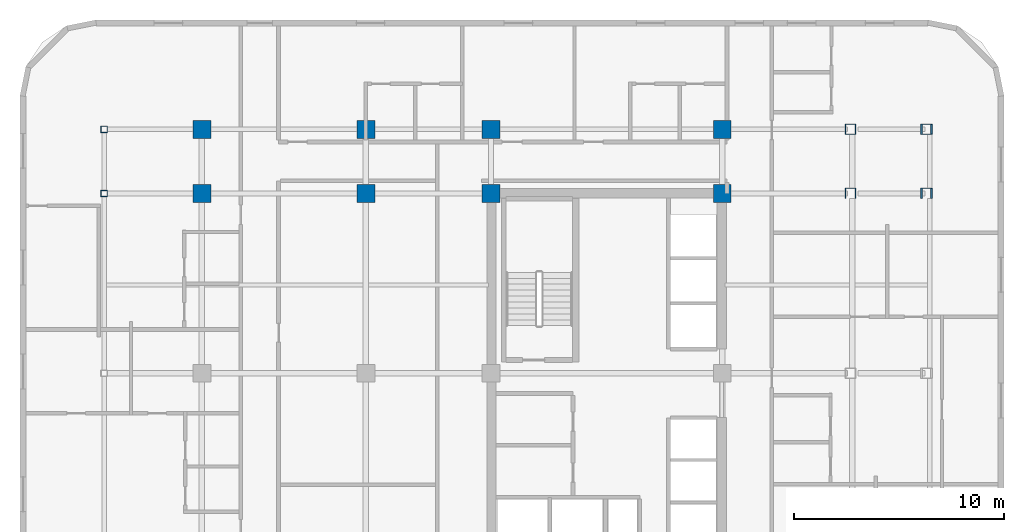
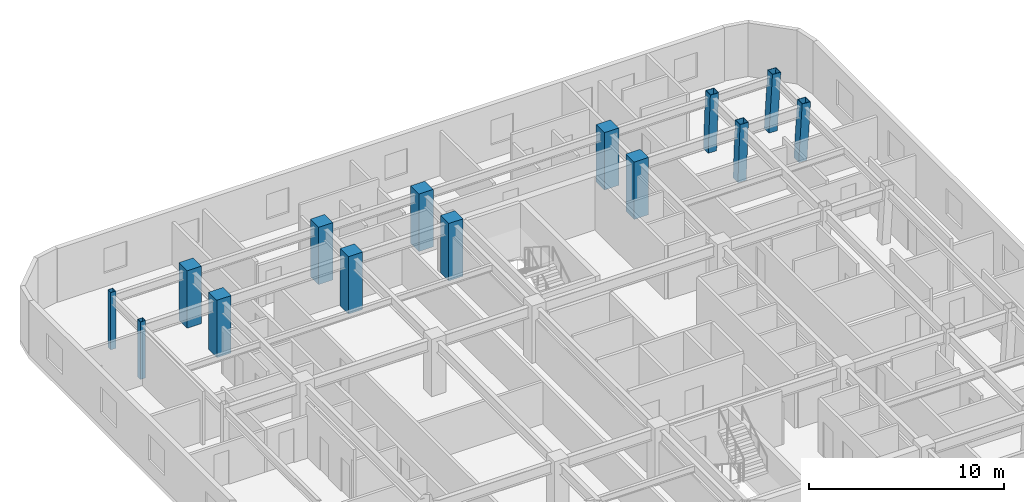
# One storey, part 3 of 12: 14 columns.
"""IFC4 building model written with IfcOpenShell, lengths in metres."""

from ifc_helpers import new_model, si_unit, direction, frame, origin, origin_2d, place, context, subcontext, project, spatial, rectangle, hollow_rectangle, extrude, material, material_profile, profile_set, type_object, element, save


model = new_model("IFC4")

# Units and contexts
model_context = context("Model", 3, precision=1e-05, world=origin(), true_north=direction((0.0, 1.0)))
body_context = subcontext(model_context, "Body", "Model", "MODEL_VIEW")
ifc_project = project(units=[si_unit("LENGTHUNIT", "METRE"), si_unit("AREAUNIT", "SQUARE_METRE"), si_unit("VOLUMEUNIT", "CUBIC_METRE"), si_unit("PLANEANGLEUNIT", "RADIAN"), si_unit("MASSUNIT", "GRAM", prefix="KILO")], contexts=[model_context])

# Site, building, storey
site_placement = place(None, origin())
site = spatial("IfcSite", under=ifc_project, at=site_placement, CompositionType="ELEMENT")
building_placement = place(site_placement, origin())
building = spatial("IfcBuilding", under=site, at=building_placement, Name="Ochreholt Gables", CompositionType="ELEMENT")
storey_placement = place(building_placement, frame((0.0, 0.0, 38.39990234375)))
storey = spatial("IfcBuildingStorey", under=building, at=storey_placement, Name="L09", CompositionType="ELEMENT", Elevation=38.39990234375)

# Columns
ifc_material_1 = material(Name="Steel CSA G40.21 350W", Category="steel")
ifc_material_profile_1 = material_profile(ifc_material_1, hollow_rectangle(XDim=0.304931640625, YDim=0.304931640625, WallThickness=0.0126953125, at=origin_2d()), Name="HSS305X305X13")
ifc_profile_set_1 = profile_set([ifc_material_profile_1], Name="Steel CSA G40.21 350W")
column_type_1 = type_object("IfcColumnType", Name="COL-HSS305-EXT", PredefinedType="COLUMN", material=ifc_profile_set_1)
for number, where, z_axis, x_axis, name in (
    (1, (5.800048828125, 38.75, 0.0), (0.0, 0.0, 1.0), (1.0, 0.0, 0.0), "L09 Column WTY5"),
    (2, (5.800048828125, 41.800048828125, 0.0), (0.0, 0.0, 1.0), (1.0, 0.0, 0.0), "L09 Column WTY6"),
):
    element("IfcColumn", number, at=place(storey_placement, frame(where, z_axis=z_axis, x_axis=x_axis)), inside=storey, type_object=column_type_1, Name=name, PredefinedType="COLUMN", context=body_context, shape_type="SweptSolid", body=[
        extrude(hollow_rectangle(XDim=0.304931640625, YDim=0.304931640625, WallThickness=0.0126953125, at=origin_2d()), origin(), (0.0, 0.0, 1.0), 3.60009765625),
    ])
ifc_material_profile_2 = material_profile(ifc_material_1, hollow_rectangle(XDim=0.5, YDim=0.5, WallThickness=0.02197265625, at=origin_2d()), Name="HSS500X500X22")
ifc_profile_set_2 = profile_set([ifc_material_profile_2], Name="Steel CSA G40.21 350W")
column_type_2 = type_object("IfcColumnType", Name="COL-HSS500-RAK", PredefinedType="COLUMN", material=ifc_profile_set_2)
column_1_placement = place(storey_placement, frame((41.280029296875, 38.75, 0.0), z_axis=(0.034971136209, 0.0, 0.999388322742), x_axis=(0.0, 1.0, 0.0)))
element("IfcColumn", 3, at=column_1_placement, inside=storey, type_object=column_type_2, Name="L09 Column EMY5", PredefinedType="COLUMN", context=body_context, shape_type="SweptSolid", body=[
    extrude(hollow_rectangle(XDim=0.5, YDim=0.5, WallThickness=0.02197265625, at=origin_2d()), origin(), (0.0, 0.0, 1.0), 3.602294921875),
])
ifc_material_profile_3 = material_profile(ifc_material_1, hollow_rectangle(XDim=0.5, YDim=0.5, WallThickness=0.02197265625, at=origin_2d()), Name="HSS500X500X22")
ifc_profile_set_3 = profile_set([ifc_material_profile_3], Name="Steel CSA G40.21 350W")
column_type_3 = type_object("IfcColumnType", Name="COL-HSS500-RAKE", PredefinedType="COLUMN", material=ifc_profile_set_3)
column_2_placement = place(storey_placement, frame((41.280029296875, 41.800048828125, 0.0), z_axis=(0.034971136209, 0.0, 0.999388322742), x_axis=(0.0, 1.0, 0.0)))
element("IfcColumn", 4, at=column_2_placement, inside=storey, type_object=column_type_3, Name="L09 Column EMY6", PredefinedType="COLUMN", context=body_context, shape_type="SweptSolid", body=[
    extrude(hollow_rectangle(XDim=0.5, YDim=0.5, WallThickness=0.02197265625, at=origin_2d()), origin(), (0.0, 0.0, 1.0), 3.602294921875),
])
for number, where, z_axis, x_axis, name in (
    (5, (44.884033203125, 38.75, 0.0), (0.057884606321, 0.0, 0.998323280481), (0.0, 1.0, 0.0), "L09 Column EEY5"),
    (6, (44.884033203125, 41.800048828125, 0.0), (0.057884606321, 0.0, 0.998323280481), (0.0, 1.0, 0.0), "L09 Column EEY6"),
):
    element("IfcColumn", number, at=place(storey_placement, frame(where, z_axis=z_axis, x_axis=x_axis)), inside=storey, type_object=column_type_3, Name=name, PredefinedType="COLUMN", context=body_context, shape_type="SweptSolid", body=[
        extrude(hollow_rectangle(XDim=0.5, YDim=0.5, WallThickness=0.02197265625, at=origin_2d()), origin(), (0.0, 0.0, 1.0), 3.606201171875),
    ])
ifc_material_2 = material(Name="Concrete 60 MPa", Category="concrete")
ifc_material_profile_4 = material_profile(ifc_material_2, rectangle(XDim=0.85009765625, YDim=0.85009765625, at=origin_2d()), Name="RC850X850")
ifc_profile_set_4 = profile_set([ifc_material_profile_4], Name="Concrete 60 MPa")
column_type_4 = type_object("IfcColumnType", Name="COL-RC850-EXT", PredefinedType="COLUMN", material=ifc_profile_set_4)
for number, where, z_axis, x_axis, name in (
    (7, (10.449951171875, 41.800048828125, 0.0), (0.0, 0.0, 1.0), (1.0, 0.0, 0.0), "L09 Column W2Y6"),
    (8, (18.25, 41.800048828125, 0.0), (0.0, 0.0, 1.0), (1.0, 0.0, 0.0), "L09 Column W3Y6"),
    (9, (24.199951171875, 41.800048828125, 0.0), (0.0, 0.0, 1.0), (1.0, 0.0, 0.0), "L09 Column C1Y6"),
    (10, (35.199951171875, 41.800048828125, 0.0), (0.0, 0.0, 1.0), (1.0, 0.0, 0.0), "L09 Column C2Y6"),
):
    element("IfcColumn", number, at=place(storey_placement, frame(where, z_axis=z_axis, x_axis=x_axis)), inside=storey, type_object=column_type_4, Name=name, PredefinedType="COLUMN", context=body_context, shape_type="SweptSolid", body=[
        extrude(rectangle(XDim=0.85009765625, YDim=0.85009765625, at=origin_2d()), origin(), (0.0, 0.0, 1.0), 3.60009765625),
    ])
ifc_material_profile_5 = material_profile(ifc_material_2, rectangle(XDim=0.85009765625, YDim=0.85009765625, at=origin_2d()), Name="RC850X850")
ifc_profile_set_5 = profile_set([ifc_material_profile_5], Name="Concrete 60 MPa")
column_type_5 = type_object("IfcColumnType", Name="COL-RC850-INT", PredefinedType="COLUMN", material=ifc_profile_set_5)
for number, where, z_axis, x_axis, name in (
    (11, (10.449951171875, 38.75, 0.0), (0.0, 0.0, 1.0), (1.0, 0.0, 0.0), "L09 Column W2Y5"),
    (12, (18.25, 38.75, 0.0), (0.0, 0.0, 1.0), (1.0, 0.0, 0.0), "L09 Column W3Y5"),
    (13, (24.199951171875, 38.75, 0.0), (0.0, 0.0, 1.0), (1.0, 0.0, 0.0), "L09 Column C1Y5"),
    (14, (35.199951171875, 38.75, 0.0), (0.0, 0.0, 1.0), (1.0, 0.0, 0.0), "L09 Column C2Y5"),
):
    element("IfcColumn", number, at=place(storey_placement, frame(where, z_axis=z_axis, x_axis=x_axis)), inside=storey, type_object=column_type_5, Name=name, PredefinedType="COLUMN", context=body_context, shape_type="SweptSolid", body=[
        extrude(rectangle(XDim=0.85009765625, YDim=0.85009765625, at=origin_2d()), origin(), (0.0, 0.0, 1.0), 3.60009765625),
    ])

save(model, "model.ifc")
